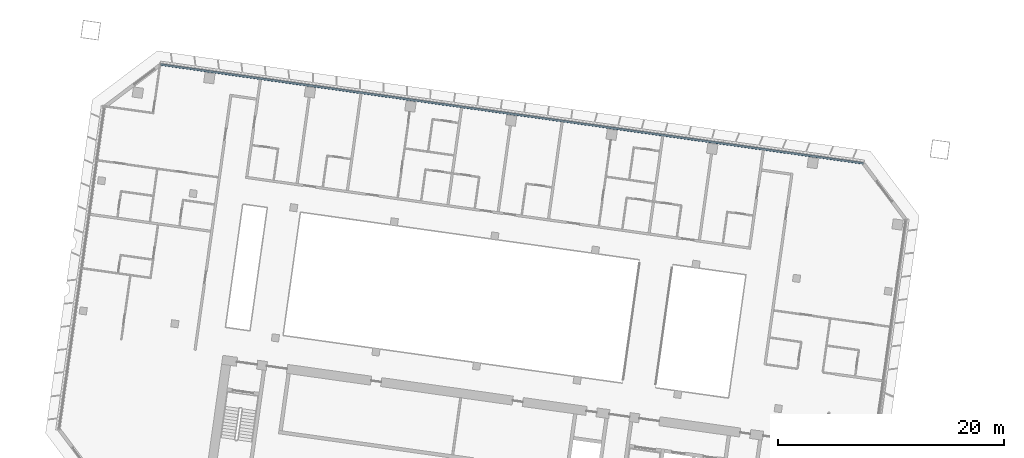
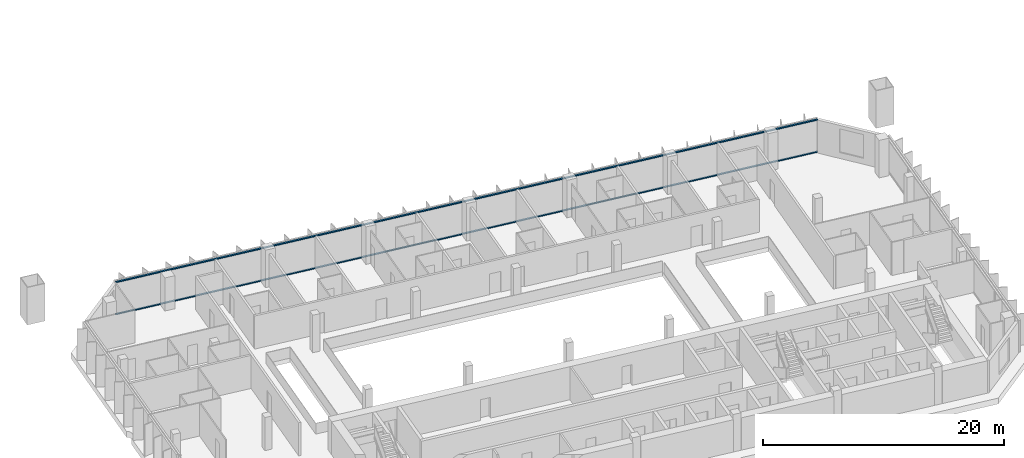
# One storey, part 4 of 26: 2 members, 1 element without a shape of its own.
"""IFC4 building model written with IfcOpenShell, lengths in metres."""

from ifc_helpers import new_model, si_unit, direction, frame, origin, origin_2d, place, context, subcontext, project, spatial, rectangle, extrude, material, material_profile, profile_set, type_object, element, aggregate, save


model = new_model("IFC4")

# Units and contexts
model_context = context("Model", 3, precision=1e-05, world=origin(), true_north=direction((0.0, 1.0)))
body_context = subcontext(model_context, "Body", "Model", "MODEL_VIEW")
ifc_project = project(units=[si_unit("LENGTHUNIT", "METRE"), si_unit("AREAUNIT", "SQUARE_METRE"), si_unit("VOLUMEUNIT", "CUBIC_METRE"), si_unit("PLANEANGLEUNIT", "RADIAN"), si_unit("MASSUNIT", "GRAM", prefix="KILO")], contexts=[model_context])

# Site, building, storey
site_placement = place(None, origin())
site = spatial("IfcSite", under=ifc_project, at=site_placement, CompositionType="ELEMENT")
building_placement = place(site_placement, origin())
building = spatial("IfcBuilding", under=site, at=building_placement, Name="Mirante Cascada Hotel Towers", CompositionType="ELEMENT")
storey_placement = place(building_placement, frame((0.0, 0.0, 144.3)))
storey = spatial("IfcBuildingStorey", under=building, at=storey_placement, Name="L33", CompositionType="ELEMENT", Elevation=144.3)

# Curtain wall, members
ifc_material_1 = material(Name="Aluminium mullion and transom frame with clear laminated glass", Category="aluminium")
curtain_wall_type = type_object("IfcCurtainWallType", Name="Ribbon curtain wall ECW1", PredefinedType="NOTDEFINED", material=ifc_material_1)
curtain_wall_placement = place(storey_placement, origin())
curtain_wall = element("IfcCurtainWall", 1, at=curtain_wall_placement, inside=storey, type_object=curtain_wall_type, Name="Front ribbon wall T1 L33", PredefinedType="NOTDEFINED")
ifc_material_2 = material(Name="Anodised aluminium extrusion", Category="aluminium")
ifc_material_profile = material_profile(ifc_material_2, rectangle(XDim=0.16, YDim=0.1, at=origin_2d()), Name="ECW1 TRANSOM 100x160")
ifc_profile_set = profile_set([ifc_material_profile], Name="Anodised aluminium extrusion")
member_type = type_object("IfcMemberType", Name="ECW1 transom 100x160", PredefinedType="USERDEFINED", material=ifc_profile_set)
member_1_placement = place(storey_placement, frame((-94.1582, 26.0521, 0.05), z_axis=(0.9902681, -0.1391728, 0.0), x_axis=(0.1391728, 0.9902681, 0.0)))
member_1 = element("IfcMember", 2, at=member_1_placement, type_object=member_type, Name="ECW1 sill transom", ObjectType="TRANSOM", PredefinedType="USERDEFINED", context=body_context, shape_type="SweptSolid", body=[
    extrude(rectangle(XDim=0.16, YDim=0.1, at=origin_2d()), origin(), (0.0, 0.0, 1.0), 62.8758),
])
member_2_placement = place(storey_placement, frame((-94.1582, 26.0521, 3.3), z_axis=(0.9902681, -0.1391728, 0.0), x_axis=(0.1391728, 0.9902681, 0.0)))
member_2 = element("IfcMember", 3, at=member_2_placement, type_object=member_type, Name="ECW1 head transom", ObjectType="TRANSOM", PredefinedType="USERDEFINED", context=body_context, shape_type="SweptSolid", body=[
    extrude(rectangle(XDim=0.16, YDim=0.1, at=origin_2d()), origin(), (0.0, 0.0, 1.0), 62.8758),
])
aggregate(curtain_wall, [member_1, member_2])

save(model, "model.ifc")
